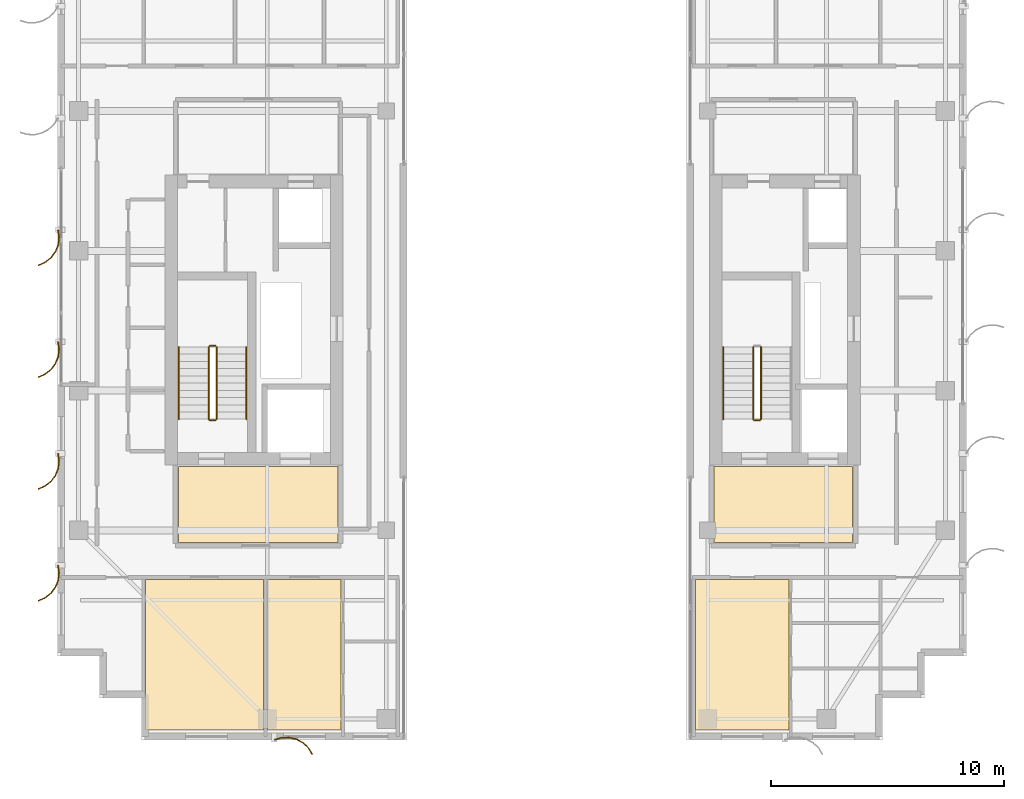
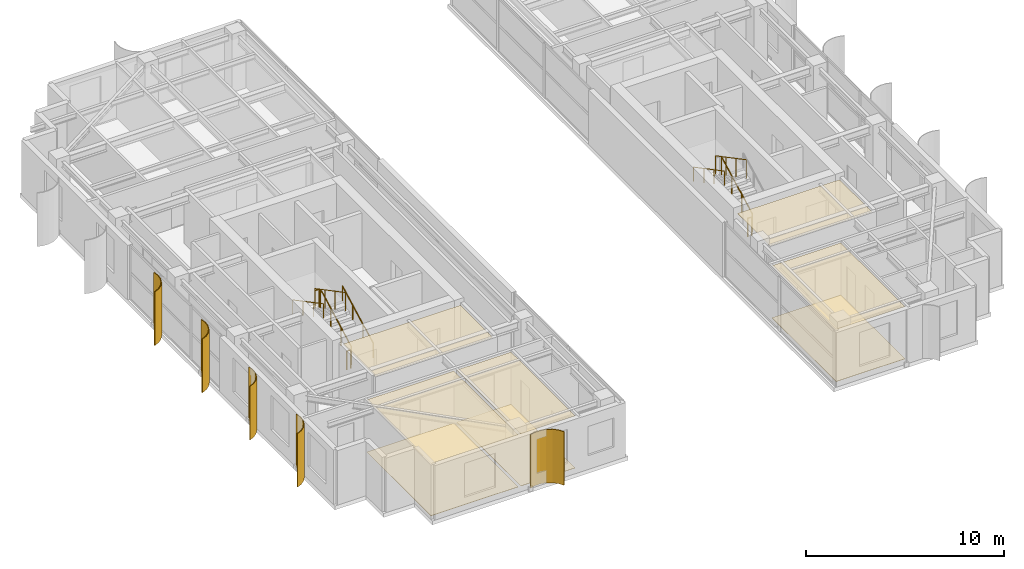
# One storey, part 22 of 24: 10 railings, 8 coverings, 5 shading devices.
"""IFC4 building model written with IfcOpenShell, lengths in metres."""

from ifc_helpers import new_model, si_unit, direction, frame, origin, origin_2d, place, context, subcontext, project, spatial, polyline, circle, outline, extrude, source, transform, mapped, material, layer, layer_set, type_object, element, save


model = new_model("IFC4")

# Units and contexts
model_context = context("Model", 3, precision=1e-05, world=origin(), true_north=direction((0.0, 1.0)))
body_context = subcontext(model_context, "Body", "Model", "MODEL_VIEW")
ifc_project = project(units=[si_unit("LENGTHUNIT", "METRE"), si_unit("AREAUNIT", "SQUARE_METRE"), si_unit("VOLUMEUNIT", "CUBIC_METRE"), si_unit("PLANEANGLEUNIT", "RADIAN"), si_unit("MASSUNIT", "GRAM", prefix="KILO")], contexts=[model_context])

# Site, building, storey
site_placement = place(None, origin())
site = spatial("IfcSite", under=ifc_project, at=site_placement, CompositionType="ELEMENT")
building_placement = place(site_placement, origin())
building = spatial("IfcBuilding", under=site, at=building_placement, Name="Khoralis Quay Care Tower", CompositionType="ELEMENT")
storey_placement = place(building_placement, frame((0.0, 0.0, 231.300048828125)))
storey = spatial("IfcBuildingStorey", under=building, at=storey_placement, Name="L60", CompositionType="ELEMENT", Elevation=231.300048828125)

# Coverings
ifc_material_1 = material(Name="Mineral-fibre acoustic ceiling tile")
ifc_layer_1 = layer(ifc_material_1, 0.01806640625)
ifc_layer_set_1 = layer_set([ifc_layer_1], Name="Mineral-fibre acoustic ceiling tile")
covering_type_1 = type_object("IfcCoveringType", Name="COV-CEIL-AC18", PredefinedType="CEILING", material=ifc_layer_set_1)
covering_1_placement = place(storey_placement, frame((0.0, 0.0, 3.2119140625)))
element("IfcCovering", 1, at=covering_1_placement, inside=storey, type_object=covering_type_1, Name="Suspended Acoustic Ceiling SP-L60-FFLOB-W", PredefinedType="CEILING", context=body_context, shape_type="SweptSolid", body=[
    extrude(outline(polyline([(8.179931640625, 11.47998046875), (15.02001953125, 11.47998046875), (15.02001953125, 14.75), (8.179931640625, 14.75), (8.179931640625, 11.47998046875)])), origin(), (0.0, 0.0, 1.0), 0.01806640625),
])
covering_2_placement = place(storey_placement, frame((0.0, 0.0, 3.2119140625)))
element("IfcCovering", 2, at=covering_2_placement, inside=storey, type_object=covering_type_1, Name="Suspended Acoustic Ceiling SP-L60-FFLOB-E", PredefinedType="CEILING", context=body_context, shape_type="SweptSolid", body=[
    extrude(outline(polyline([(31.179931640625, 11.47998046875), (37.1201171875, 11.47998046875), (37.1201171875, 14.75), (31.179931640625, 14.75), (31.179931640625, 11.47998046875)])), origin(), (0.0, 0.0, 1.0), 0.01806640625),
])
covering_3_placement = place(storey_placement, frame((0.0, 0.0, 3.2119140625)))
element("IfcCovering", 3, at=covering_3_placement, inside=storey, type_object=covering_type_1, Name="Suspended Acoustic Ceiling SP-L60-WS-COM0", PredefinedType="CEILING", context=body_context, shape_type="SweptSolid", body=[
    extrude(outline(polyline([(6.760009765625, 3.419921875), (11.840087890625, 3.419921875), (11.840087890625, 9.89990234375), (6.760009765625, 9.89990234375), (6.760009765625, 3.419921875)])), origin(), (0.0, 0.0, 1.0), 0.01806640625),
])
covering_4_placement = place(storey_placement, frame((0.0, 0.0, 3.2119140625)))
element("IfcCovering", 4, at=covering_4_placement, inside=storey, type_object=covering_type_1, Name="Suspended Acoustic Ceiling SP-L60-WS-CARE1", PredefinedType="CEILING", context=body_context, shape_type="SweptSolid", body=[
    extrude(outline(polyline([(12.0, 3.419921875), (15.169921875, 3.419921875), (15.169921875, 9.89990234375), (12.0, 9.89990234375), (12.0, 3.419921875)])), origin(), (0.0, 0.0, 1.0), 0.01806640625),
])
covering_5_placement = place(storey_placement, frame((0.0, 0.0, 3.2119140625)))
element("IfcCovering", 5, at=covering_5_placement, inside=storey, type_object=covering_type_1, Name="Suspended Acoustic Ceiling SP-L60-ES-LIV0", PredefinedType="CEILING", context=body_context, shape_type="SweptSolid", body=[
    extrude(outline(polyline([(30.3798828125, 3.419921875), (34.389892578125, 3.419921875), (34.389892578125, 9.89990234375), (30.3798828125, 9.89990234375), (30.3798828125, 3.419921875)])), origin(), (0.0, 0.0, 1.0), 0.01806640625),
])
ifc_material_2 = material(Name="Porcelain and non-slip vinyl flooring")
ifc_layer_2 = layer(ifc_material_2, 0.02001953125)
ifc_layer_set_2 = layer_set([ifc_layer_2], Name="Porcelain and non-slip vinyl flooring")
covering_type_2 = type_object("IfcCoveringType", Name="COV-FLOOR-20", PredefinedType="FLOORING", material=ifc_layer_set_2)
covering_6_placement = place(storey_placement, origin())
element("IfcCovering", 6, at=covering_6_placement, inside=storey, type_object=covering_type_2, Name="Resilient Healthcare Flooring SP-L60-WS-COM0", PredefinedType="FLOORING", context=body_context, shape_type="SweptSolid", body=[
    extrude(outline(polyline([(6.760009765625, 3.419921875), (11.840087890625, 3.419921875), (11.840087890625, 9.89990234375), (6.760009765625, 9.89990234375), (6.760009765625, 3.419921875)])), origin(), (0.0, 0.0, 1.0), 0.02001953125),
])
covering_7_placement = place(storey_placement, origin())
element("IfcCovering", 7, at=covering_7_placement, inside=storey, type_object=covering_type_2, Name="Resilient Healthcare Flooring SP-L60-WS-CARE1", PredefinedType="FLOORING", context=body_context, shape_type="SweptSolid", body=[
    extrude(outline(polyline([(12.0, 3.419921875), (15.169921875, 3.419921875), (15.169921875, 9.89990234375), (12.0, 9.89990234375), (12.0, 3.419921875)])), origin(), (0.0, 0.0, 1.0), 0.02001953125),
])
covering_8_placement = place(storey_placement, origin())
element("IfcCovering", 8, at=covering_8_placement, inside=storey, type_object=covering_type_2, Name="Resilient Healthcare Flooring SP-L60-ES-LIV0", PredefinedType="FLOORING", context=body_context, shape_type="SweptSolid", body=[
    extrude(outline(polyline([(30.3798828125, 3.419921875), (34.389892578125, 3.419921875), (34.389892578125, 9.89990234375), (30.3798828125, 9.89990234375), (30.3798828125, 3.419921875)])), origin(), (0.0, 0.0, 1.0), 0.02001953125),
])

# Railings
ifc_material_3 = material(Name="Brushed stainless steel", Category="steel")
railing_type_1 = type_object("IfcRailingType", Name="RL-GUARD-1150", PredefinedType="GUARDRAIL", material=ifc_material_3)
railing_1_placement = place(storey_placement, frame((9.820068359375, 16.77001953125, 0.16357421875)))
element("IfcRailing", 9, at=railing_1_placement, inside=storey, type_object=railing_type_1, Name="L60 ST-T1 stair guard 1", PredefinedType="GUARDRAIL", context=body_context, shape_type="SweptSolid", body=[
    extrude(circle(Radius=0.02392578125, at=origin_2d()), frame((0.0, 0.0, 1.1259765625), z_axis=(0.0, 0.884348015382, 0.466828220752), x_axis=(-1.0, 0.0, 0.0)), (0.0, 0.0, 1.0), 3.505615234375),
    extrude(circle(Radius=0.02099609375, at=origin_2d()), origin(), (0.0, 0.0, 1.0), 1.101806640625),
    extrude(circle(Radius=0.02099609375, at=origin_2d()), frame((0.0, 1.033447265625, 0.54541015625)), (0.0, 0.0, 1.0), 1.101806640625),
    extrude(circle(Radius=0.02099609375, at=origin_2d()), frame((0.0, 2.066650390625, 1.091064453125)), (0.0, 0.0, 1.0), 1.101806640625),
    extrude(circle(Radius=0.02099609375, at=origin_2d()), frame((0.0, 3.10009765625, 1.636474609375)), (0.0, 0.0, 1.0), 1.101806640625),
])
railing_2_placement = place(storey_placement, frame((9.77001953125, 19.919921875, 1.800048828125)))
element("IfcRailing", 10, at=railing_2_placement, inside=storey, type_object=railing_type_1, Name="L60 ST-T1 stair guard 2", PredefinedType="GUARDRAIL", context=body_context, shape_type="SweptSolid", body=[
    extrude(circle(Radius=0.02392578125, at=origin_2d()), frame((0.0, 0.0, 1.1259765625), z_axis=(-1.0, 0.0, 0.0), x_axis=(0.0, -1.0, 0.0)), (0.0, 0.0, 1.0), 0.239990234375),
    extrude(circle(Radius=0.02099609375, at=origin_2d()), origin(), (0.0, 0.0, 1.0), 1.101806640625),
    extrude(circle(Radius=0.02099609375, at=origin_2d()), frame((-0.239990234375, 0.0, 0.0)), (0.0, 0.0, 1.0), 1.101806640625),
])
railing_3_placement = place(storey_placement, frame((9.47998046875, 19.8701171875, 1.963623046875)))
element("IfcRailing", 11, at=railing_3_placement, inside=storey, type_object=railing_type_1, Name="L60 ST-T1 stair guard 3", PredefinedType="GUARDRAIL", context=body_context, shape_type="SweptSolid", body=[
    extrude(circle(Radius=0.02392578125, at=origin_2d()), frame((0.0, 0.0, 1.1259765625), z_axis=(0.0, -0.884376766648, 0.46677375099), x_axis=(1.0, 0.0, 0.0)), (0.0, 0.0, 1.0), 3.50537109375),
    extrude(circle(Radius=0.02099609375, at=origin_2d()), origin(), (0.0, 0.0, 1.0), 1.101806640625),
    extrude(circle(Radius=0.02099609375, at=origin_2d()), frame((0.0, -1.033447265625, 0.54541015625)), (0.0, 0.0, 1.0), 1.101806640625),
    extrude(circle(Radius=0.02099609375, at=origin_2d()), frame((0.0, -2.066650390625, 1.0908203125)), (0.0, 0.0, 1.0), 1.101806640625),
    extrude(circle(Radius=0.02099609375, at=origin_2d()), frame((0.0, -3.10009765625, 1.63623046875)), (0.0, 0.0, 1.0), 1.101806640625),
])
railing_4_placement = place(storey_placement, frame((9.77001953125, 16.719970703125, 0.0)))
element("IfcRailing", 12, at=railing_4_placement, inside=storey, type_object=railing_type_1, Name="L60 ST-T1 stair guard 4", PredefinedType="GUARDRAIL", context=body_context, shape_type="SweptSolid", body=[
    extrude(circle(Radius=0.02392578125, at=origin_2d()), frame((0.0, 0.0, 1.1259765625), z_axis=(-1.0, 0.0, 0.0), x_axis=(0.0, -1.0, 0.0)), (0.0, 0.0, 1.0), 0.239990234375),
    extrude(circle(Radius=0.02099609375, at=origin_2d()), origin(), (0.0, 0.0, 1.0), 1.101806640625),
    extrude(circle(Radius=0.02099609375, at=origin_2d()), frame((-0.239990234375, 0.0, 0.0)), (0.0, 0.0, 1.0), 1.101806640625),
])
railing_5_placement = place(storey_placement, frame((33.18994140625, 16.77001953125, 0.16357421875)))
element("IfcRailing", 13, at=railing_5_placement, inside=storey, type_object=railing_type_1, Name="L60 ST-T2 stair guard 1", PredefinedType="GUARDRAIL", context=body_context, shape_type="SweptSolid", body=[
    extrude(circle(Radius=0.02392578125, at=origin_2d()), frame((0.0, 0.0, 1.1259765625), z_axis=(0.0, 0.884348015382, 0.466828220752), x_axis=(-1.0, 0.0, 0.0)), (0.0, 0.0, 1.0), 3.505615234375),
    extrude(circle(Radius=0.02099609375, at=origin_2d()), origin(), (0.0, 0.0, 1.0), 1.101806640625),
    extrude(circle(Radius=0.02099609375, at=origin_2d()), frame((0.0, 1.033447265625, 0.54541015625)), (0.0, 0.0, 1.0), 1.101806640625),
    extrude(circle(Radius=0.02099609375, at=origin_2d()), frame((0.0, 2.066650390625, 1.091064453125)), (0.0, 0.0, 1.0), 1.101806640625),
    extrude(circle(Radius=0.02099609375, at=origin_2d()), frame((0.0, 3.10009765625, 1.636474609375)), (0.0, 0.0, 1.0), 1.101806640625),
])
railing_6_placement = place(storey_placement, frame((32.85009765625, 19.8701171875, 1.963623046875)))
element("IfcRailing", 14, at=railing_6_placement, inside=storey, type_object=railing_type_1, Name="L60 ST-T2 stair guard 3", PredefinedType="GUARDRAIL", context=body_context, shape_type="SweptSolid", body=[
    extrude(circle(Radius=0.02392578125, at=origin_2d()), frame((0.0, 0.0, 1.1259765625), z_axis=(0.0, -0.884376766648, 0.46677375099), x_axis=(1.0, 0.0, 0.0)), (0.0, 0.0, 1.0), 3.50537109375),
    extrude(circle(Radius=0.02099609375, at=origin_2d()), origin(), (0.0, 0.0, 1.0), 1.101806640625),
    extrude(circle(Radius=0.02099609375, at=origin_2d()), frame((0.0, -1.033447265625, 0.54541015625)), (0.0, 0.0, 1.0), 1.101806640625),
    extrude(circle(Radius=0.02099609375, at=origin_2d()), frame((0.0, -2.066650390625, 1.0908203125)), (0.0, 0.0, 1.0), 1.101806640625),
    extrude(circle(Radius=0.02099609375, at=origin_2d()), frame((0.0, -3.10009765625, 1.63623046875)), (0.0, 0.0, 1.0), 1.101806640625),
])
railing_7_placement = place(storey_placement, frame((33.139892578125, 16.719970703125, 0.0)))
element("IfcRailing", 15, at=railing_7_placement, inside=storey, type_object=railing_type_1, Name="L60 ST-T2 stair guard 4", PredefinedType="GUARDRAIL", context=body_context, shape_type="SweptSolid", body=[
    extrude(circle(Radius=0.02392578125, at=origin_2d()), frame((0.0, 0.0, 1.1259765625), z_axis=(-1.0, 0.0, 0.0), x_axis=(0.0, -1.0, 0.0)), (0.0, 0.0, 1.0), 0.239990234375),
    extrude(circle(Radius=0.02099609375, at=origin_2d()), origin(), (0.0, 0.0, 1.0), 1.101806640625),
    extrude(circle(Radius=0.02099609375, at=origin_2d()), frame((-0.239990234375, 0.0, 0.0)), (0.0, 0.0, 1.0), 1.101806640625),
])
railing_type_2 = type_object("IfcRailingType", Name="RL-HAND-900", PredefinedType="HANDRAIL", material=ifc_material_3)
railing_8_placement = place(storey_placement, frame((11.10009765625, 16.77001953125, 0.16357421875)))
element("IfcRailing", 16, at=railing_8_placement, inside=storey, type_object=railing_type_2, Name="L60 ST-T1 stair handrail 1", PredefinedType="HANDRAIL", context=body_context, shape_type="SweptSolid", body=[
    extrude(circle(Radius=0.02392578125, at=origin_2d()), frame((0.0, 0.0, 0.8759765625), z_axis=(0.0, 0.884348015382, 0.466828220752), x_axis=(-1.0, 0.0, 0.0)), (0.0, 0.0, 1.0), 3.505615234375),
    extrude(circle(Radius=0.02099609375, at=origin_2d()), origin(), (0.0, 0.0, 1.0), 0.851806640625),
    extrude(circle(Radius=0.02099609375, at=origin_2d()), frame((0.0, 1.033447265625, 0.54541015625)), (0.0, 0.0, 1.0), 0.851806640625),
    extrude(circle(Radius=0.02099609375, at=origin_2d()), frame((0.0, 2.066650390625, 1.091064453125)), (0.0, 0.0, 1.0), 0.851806640625),
    extrude(circle(Radius=0.02099609375, at=origin_2d()), frame((0.0, 3.10009765625, 1.636474609375)), (0.0, 0.0, 1.0), 0.851806640625),
])
for number, where, name in (
    (17, (8.199951171875, 19.8701171875, 1.963623046875), "L60 ST-T1 stair handrail 2"),
    (18, (31.570068359375, 19.8701171875, 1.963623046875), "L60 ST-T2 stair handrail 2"),
):
    element("IfcRailing", number, at=place(storey_placement, frame(where)), inside=storey, type_object=railing_type_2, Name=name, PredefinedType="HANDRAIL", context=body_context, shape_type="SweptSolid", body=[
        extrude(circle(Radius=0.02392578125, at=origin_2d()), frame((0.0, 0.0, 0.8759765625), z_axis=(0.0, -0.884376766648, 0.46677375099), x_axis=(1.0, 0.0, 0.0)), (0.0, 0.0, 1.0), 3.50537109375),
        extrude(circle(Radius=0.02099609375, at=origin_2d()), origin(), (0.0, 0.0, 1.0), 0.851806640625),
        extrude(circle(Radius=0.02099609375, at=origin_2d()), frame((0.0, -1.033447265625, 0.54541015625)), (0.0, 0.0, 1.0), 0.851806640625),
        extrude(circle(Radius=0.02099609375, at=origin_2d()), frame((0.0, -2.066650390625, 1.0908203125)), (0.0, 0.0, 1.0), 0.851806640625),
        extrude(circle(Radius=0.02099609375, at=origin_2d()), frame((0.0, -3.10009765625, 1.63623046875)), (0.0, 0.0, 1.0), 0.851806640625),
    ])

# Shading devices
ifc_material_4 = material(Name="Brushed pale anodised aluminium", Category="aluminium")
ifc_layer_3 = layer(ifc_material_4, 0.044921875)
ifc_layer_set_3 = layer_set([ifc_layer_3], Name="Brushed pale anodised aluminium")
shading_device_type = type_object("IfcShadingDeviceType", Name="SHD-FIN-1250", PredefinedType="USERDEFINED", material=ifc_layer_set_3)
shared_shape_1 = source(origin(), body_context, "Body", "SweptSolid", [
    extrude(outline(polyline([(0.0, 0.0), (-0.04833984375, 0.32275390625), (-0.01123046875, 0.64697265625), (0.1083984375, 0.950439453125), (0.302490234375, 1.212890625), (0.557861328125, 1.416015625), (0.85693359375, 1.546142578125), (0.869384765625, 1.5029296875), (0.5810546875, 1.37744140625), (0.334716796875, 1.181640625), (0.147705078125, 0.9287109375), (0.032470703125, 0.635986328125), (-0.003173828125, 0.323486328125), (0.043212890625, 0.012451171875), (0.0, 0.0)])), origin(), (0.0, 0.0, 1.0), 3.300048828125),
])
for number, where, z_axis, x_axis, name in (
    (19, (3.030029296875, 24.89990234375, 0.02001953125), (0.0, 0.0, 1.0), (-1.0, 0.0, 0.0), "L60 Curved Solar Fin P1E7-03"),
    (20, (3.030029296875, 20.10009765625, 0.02001953125), (0.0, 0.0, 1.0), (-1.0, 0.0, 0.0), "L60 Curved Solar Fin P1E7-04"),
    (21, (3.030029296875, 15.300048828125, 0.02001953125), (0.0, 0.0, 1.0), (-1.0, 0.0, 0.0), "L60 Curved Solar Fin P1E7-05"),
    (22, (3.030029296875, 10.5, 0.02001953125), (0.0, 0.0, 1.0), (-1.0, 0.0, 0.0), "L60 Curved Solar Fin P1E7-06"),
):
    element("IfcShadingDevice", number, at=place(storey_placement, frame(where, z_axis=z_axis, x_axis=x_axis)), inside=storey, type_object=shading_device_type, Name=name, ObjectType="FIN", PredefinedType="USERDEFINED", context=body_context, shape_type="MappedRepresentation", body=[
        mapped(shared_shape_1, transform((0.0, 0.0, 0.0), scale=1.0)),
    ])
shared_shape_2 = source(origin(), body_context, "Body", "SweptSolid", [
    extrude(outline(polyline([(0.0, 0.0), (-0.0927734375, 0.31298828125), (-0.101318359375, 0.63916015625), (-0.025146484375, 0.956298828125), (0.130615234375, 1.2431640625), (0.355224609375, 1.479736328125), (0.633544921875, 1.650390625), (0.65185546875, 1.609130859375), (0.383544921875, 1.44482421875), (0.1669921875, 1.216796875), (0.01708984375, 0.940185546875), (-0.056396484375, 0.63427734375), (-0.04833984375, 0.31982421875), (0.041015625, 0.018310546875), (0.0, 0.0)])), origin(), (0.0, 0.0, 1.0), 3.300048828125),
])
shading_device_placement = place(storey_placement, frame((12.300048828125, 3.030029296875, 0.02001953125), z_axis=(0.0, 0.0, 1.0), x_axis=(0.0, -1.0, 0.0)))
element("IfcShadingDevice", 23, at=shading_device_placement, inside=storey, type_object=shading_device_type, Name="L60 Curved Solar Fin P1E0-01", ObjectType="FIN", PredefinedType="USERDEFINED", context=body_context, shape_type="MappedRepresentation", body=[
    mapped(shared_shape_2, transform((0.0, 0.0, 0.0), scale=1.0)),
])

save(model, "model.ifc")
